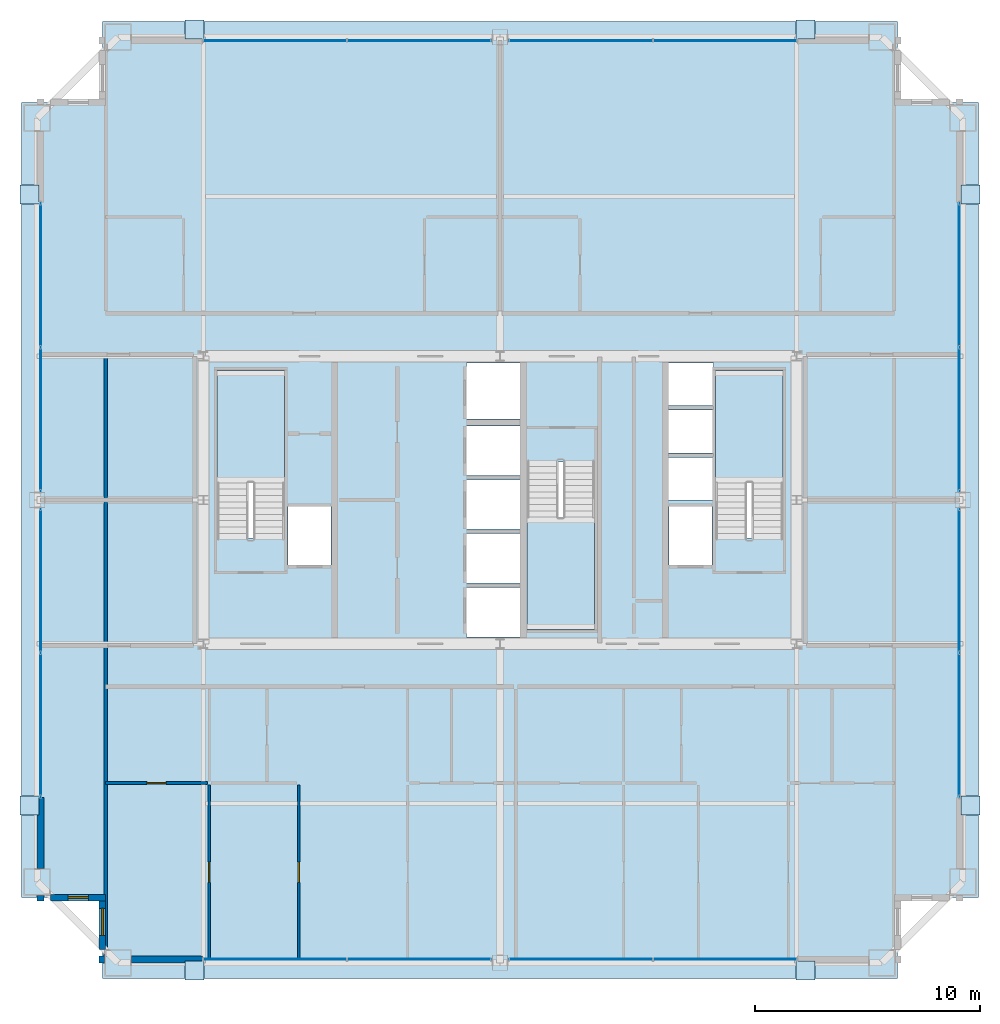
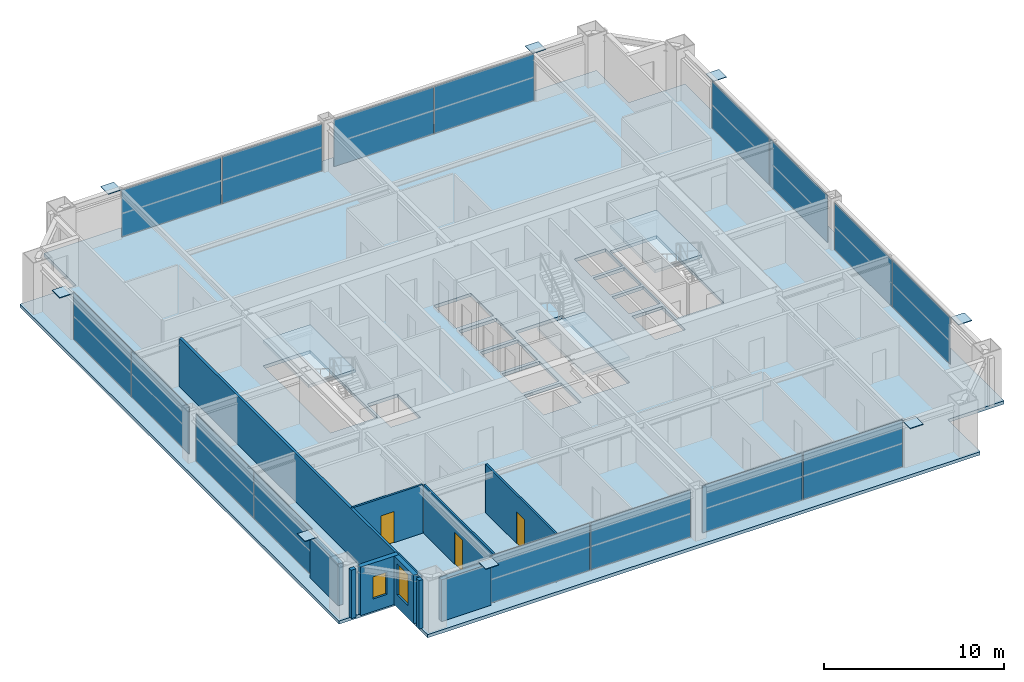
# One storey, part 31 of 36: 24 plates, 10 walls, 4 slabs, 3 doors, 2 windows, 5 openings, 11 elements without a shape of their own.
"""IFC4 building model written with IfcOpenShell, lengths in metres."""

from ifc_helpers import new_model, si_unit, direction, frame, frame_2d, origin, origin_2d, place, context, subcontext, project, spatial, polyline, rectangle, outline, extrude, source, transform, mapped, material, layer, layer_set, type_object, element, fill, aggregate, save


model = new_model("IFC4")

# Units and contexts
model_context = context("Model", 3, precision=1e-05, world=origin(), true_north=direction((0.0, 1.0)))
body_context = subcontext(model_context, "Body", "Model", "MODEL_VIEW")
ifc_project = project(units=[si_unit("LENGTHUNIT", "METRE"), si_unit("AREAUNIT", "SQUARE_METRE"), si_unit("VOLUMEUNIT", "CUBIC_METRE"), si_unit("PLANEANGLEUNIT", "RADIAN"), si_unit("MASSUNIT", "GRAM", prefix="KILO"), si_unit("THERMODYNAMICTEMPERATUREUNIT", "KELVIN"), si_unit("POWERUNIT", "WATT")], contexts=[model_context])

# Site, building, storey
site_placement = place(None, origin())
site = spatial("IfcSite", under=ifc_project, at=site_placement, CompositionType="ELEMENT")
building_placement = place(site_placement, origin())
building = spatial("IfcBuilding", under=site, at=building_placement, Name="Yuzanri Waterfront Tower", CompositionType="ELEMENT")
storey_placement = place(building_placement, frame((0.0, 0.0, 224.10009765625)))
storey = spatial("IfcBuildingStorey", under=building, at=storey_placement, Name="L59", CompositionType="ELEMENT", Elevation=224.10009765625)

# Stair, slab
ifc_material_1 = material(Name="Concrete C40", Category="concrete")
stair_type = type_object("IfcStairType", Name="Concrete C40 Core Dogleg Exit Stair", PredefinedType="HALF_TURN_STAIR", material=ifc_material_1)
stair_1_placement = place(storey_placement, origin())
stair_1 = element("IfcStair", 1, at=stair_1_placement, inside=storey, type_object=stair_type, Name="L59 Smoke-Proof Core Stair ST-01", PredefinedType="HALF_TURN_STAIR")
ifc_material_2 = material(Name="Concrete C40", Category="concrete")
ifc_layer_1 = layer(ifc_material_2, 0.179931640625)
ifc_layer_set_1 = layer_set([ifc_layer_1], Name="Concrete C40")
slab_type_1 = type_object("IfcSlabType", Name="Concrete C40 Stair Half-Landing Slab 180", PredefinedType="LANDING", material=ifc_layer_set_1)
slab_1_placement = place(storey_placement, frame((0.0, 0.0, 1.5498046875)))
slab_1 = element("IfcSlab", 2, at=slab_1_placement, type_object=slab_type_1, Name="ST-01 landing 1", PredefinedType="LANDING", context=body_context, shape_type="SweptSolid", body=[
    extrude(outline(polyline([(27.39990234375, 26.56005859375), (27.39990234375, 31.580078125), (24.39990234375, 31.580078125), (24.39990234375, 26.56005859375), (27.39990234375, 26.56005859375)])), origin(), (0.0, 0.0, 1.0), 0.2001953125),
])
aggregate(stair_1, [slab_1])

stair_2_placement = place(storey_placement, origin())
stair_2 = element("IfcStair", 3, at=stair_2_placement, inside=storey, type_object=stair_type, Name="L59 Smoke-Proof Core Stair ST-02", PredefinedType="HALF_TURN_STAIR")
slab_2_placement = place(storey_placement, frame((0.0, 0.0, 1.5498046875)))
slab_2 = element("IfcSlab", 4, at=slab_2_placement, type_object=slab_type_1, Name="ST-02 landing 1", PredefinedType="LANDING", context=body_context, shape_type="SweptSolid", body=[
    extrude(outline(polyline([(49.60009765625, 26.56005859375), (49.60009765625, 31.580078125), (46.60009765625, 31.580078125), (46.60009765625, 26.56005859375), (49.60009765625, 26.56005859375)])), origin(), (0.0, 0.0, 1.0), 0.2001953125),
])
aggregate(stair_2, [slab_2])

stair_3_placement = place(storey_placement, origin())
stair_3 = element("IfcStair", 5, at=stair_3_placement, inside=storey, type_object=stair_type, Name="L59 Smoke-Proof Core Stair ST-03", PredefinedType="HALF_TURN_STAIR")
slab_3_placement = place(storey_placement, frame((0.0, 0.0, 1.5498046875)))
slab_3 = element("IfcSlab", 6, at=slab_3_placement, type_object=slab_type_1, Name="ST-03 landing 1", PredefinedType="LANDING", context=body_context, shape_type="SweptSolid", body=[
    extrude(outline(polyline([(38.199951171875, 25.0400390625), (38.199951171875, 20.02001953125), (41.199951171875, 20.02001953125), (41.199951171875, 25.0400390625), (38.199951171875, 25.0400390625)])), origin(), (0.0, 0.0, 1.0), 0.2001953125),
])
aggregate(stair_3, [slab_3])

# Slab
ifc_material_3 = material(Name="Concrete C40", Category="concrete")
ifc_layer_2 = layer(ifc_material_3, 0.219970703125)
ifc_layer_set_2 = layer_set([ifc_layer_2], Name="Concrete C40")
slab_type_2 = type_object("IfcSlabType", Name="Concrete C40 Tower Typical Structural Floor Slab 220", PredefinedType="FLOOR", material=ifc_layer_set_2)
slab_4_placement = place(storey_placement, frame((0.0, 0.0, -0.22021484375)))
element("IfcSlab", 7, at=slab_4_placement, inside=storey, type_object=slab_type_2, Name="L59 Main Structural Floor Slab", PredefinedType="FLOOR", context=body_context, shape_type="SweptSolid", body=[
    extrude(outline(polyline([(19.300048828125, 4.5), (54.699951171875, 4.5), (54.699951171875, 8.10009765625), (58.300048828125, 8.10009765625), (58.300048828125, 43.5), (54.699951171875, 43.5), (54.699951171875, 47.10009765625), (19.300048828125, 47.10009765625), (19.300048828125, 43.5), (15.699951171875, 43.5), (15.699951171875, 8.10009765625), (19.300048828125, 8.10009765625), (19.300048828125, 4.5)]), holes=[polyline([(27.39990234375, 24.10009765625), (27.39990234375, 31.580078125), (24.39990234375, 31.580078125), (24.39990234375, 24.10009765625), (27.39990234375, 24.10009765625)]), polyline([(49.60009765625, 24.10009765625), (49.60009765625, 31.580078125), (46.60009765625, 31.580078125), (46.60009765625, 24.10009765625), (49.60009765625, 24.10009765625)]), polyline([(38.199951171875, 27.5), (38.199951171875, 20.02001953125), (41.199951171875, 20.02001953125), (41.199951171875, 27.5), (38.199951171875, 27.5)]), polyline([(27.56005859375, 22.89990234375), (29.47998046875, 22.89990234375), (29.47998046875, 25.5), (27.56005859375, 25.5), (27.56005859375, 22.89990234375)]), polyline([(44.52001953125, 22.89990234375), (46.43994140625, 22.89990234375), (46.43994140625, 25.5), (44.52001953125, 25.5), (44.52001953125, 22.89990234375)]), polyline([(35.5, 19.699951171875), (37.89990234375, 19.699951171875), (37.89990234375, 21.89990234375), (35.5, 21.89990234375), (35.5, 19.699951171875)]), polyline([(35.5, 22.10009765625), (37.89990234375, 22.10009765625), (37.89990234375, 24.300048828125), (35.5, 24.300048828125), (35.5, 22.10009765625)]), polyline([(35.5, 24.5), (37.89990234375, 24.5), (37.89990234375, 26.699951171875), (35.5, 26.699951171875), (35.5, 24.5)]), polyline([(35.5, 26.89990234375), (37.89990234375, 26.89990234375), (37.89990234375, 29.10009765625), (35.5, 29.10009765625), (35.5, 26.89990234375)]), polyline([(35.5, 29.39990234375), (37.89990234375, 29.39990234375), (37.89990234375, 31.89990234375), (35.5, 31.89990234375), (35.5, 29.39990234375)]), polyline([(44.5, 25.800048828125), (46.5, 25.800048828125), (46.5, 27.699951171875), (44.5, 27.699951171875), (44.5, 25.800048828125)]), polyline([(44.5, 27.89990234375), (46.5, 27.89990234375), (46.5, 29.800048828125), (44.5, 29.800048828125), (44.5, 27.89990234375)]), polyline([(44.5, 30.0), (46.5, 30.0), (46.5, 31.89990234375), (44.5, 31.89990234375), (44.5, 30.0)])]), origin(), (0.0, 0.0, 1.0), 0.22021484375),
])

# Plates
ifc_material_4 = material(Name="Steel Q420GJC", Category="steel")
ifc_layer_3 = layer(ifc_material_4, 0.0400390625)
ifc_layer_set_3 = layer_set([ifc_layer_3], Name="Steel Q420GJC")
plate_type_1 = type_object("IfcPlateType", Name="Steel Q420GJC Mega-Brace Gusset and End-Cap Plate 40", PredefinedType="SHEET", material=ifc_layer_set_3)
shared_shape_1 = source(origin(), body_context, "Body", "SweptSolid", [
    extrude(rectangle(XDim=0.85009765625, YDim=0.85009765625, at=origin_2d()), origin(), (0.0, 0.0, 1.0), 0.0400390625),
])
for number, where, z_axis, x_axis, name in (
    (8, (23.39990234375, 4.860107421875, 3.159912109375), (0.0, 0.0, 1.0), (1.0, 0.0, 0.0), "L59 Mega-Brace Apex Cap Plate S-L"),
    (9, (50.60009765625, 4.860107421875, 3.159912109375), (0.0, 0.0, 1.0), (1.0, 0.0, 0.0), "L59 Mega-Brace Apex Cap Plate S-R"),
    (10, (23.39990234375, 46.739990234375, 3.159912109375), (0.0, 0.0, 1.0), (1.0, 0.0, 0.0), "L59 Mega-Brace Apex Cap Plate N-L"),
    (11, (50.60009765625, 46.739990234375, 3.159912109375), (0.0, 0.0, 1.0), (1.0, 0.0, 0.0), "L59 Mega-Brace Apex Cap Plate N-R"),
    (12, (16.06005859375, 12.199951171875, 3.159912109375), (0.0, 0.0, 1.0), (1.0, 0.0, 0.0), "L59 Mega-Brace Apex Cap Plate W-L"),
    (13, (16.06005859375, 39.39990234375, 3.159912109375), (0.0, 0.0, 1.0), (1.0, 0.0, 0.0), "L59 Mega-Brace Apex Cap Plate W-R"),
    (14, (57.93994140625, 12.199951171875, 3.159912109375), (0.0, 0.0, 1.0), (1.0, 0.0, 0.0), "L59 Mega-Brace Apex Cap Plate E-L"),
    (15, (57.93994140625, 39.39990234375, 3.159912109375), (0.0, 0.0, 1.0), (1.0, 0.0, 0.0), "L59 Mega-Brace Apex Cap Plate E-R"),
):
    element("IfcPlate", number, at=place(storey_placement, frame(where, z_axis=z_axis, x_axis=x_axis)), inside=storey, type_object=plate_type_1, Name=name, PredefinedType="SHEET", context=body_context, shape_type="MappedRepresentation", body=[
        mapped(shared_shape_1, transform((0.0, 0.0, 0.0), scale=1.0)),
    ])

# Curtain wall, plates
ifc_material_5 = material(Name="Anodized Architectural Bronze", Category="metal")
ifc_layer_4 = layer(ifc_material_5, 0.159912109375)
ifc_layer_set_4 = layer_set([ifc_layer_4], Name="Anodized Architectural Bronze")
curtain_wall_type = type_object("IfcCurtainWallType", Name="Anodized Bronze Mid-Rise Residential Acoustic Unitized Curtain Wall 7200", PredefinedType="NOTDEFINED", material=ifc_layer_set_4)
curtain_wall_1_placement = place(storey_placement, origin())
curtain_wall_1 = element("IfcCurtainWall", 16, at=curtain_wall_1_placement, inside=storey, type_object=curtain_wall_type, Name="L59 Curtain Wall CW-L59-SL", PredefinedType="NOTDEFINED")
ifc_material_6 = material(Name="Triple Low-E Laminated Insulated Glass", Category="glass")
ifc_layer_5 = layer(ifc_material_6, 0.0439453125)
ifc_layer_set_5 = layer_set([ifc_layer_5], Name="Triple Low-E Laminated Insulated Glass")
plate_type_2 = type_object("IfcPlateType", Name="Triple Glazed Acoustic Vision Glass Panel 44", PredefinedType="CURTAIN_PANEL", material=ifc_layer_set_5)
shared_shape_2 = source(origin(), body_context, "Body", "SweptSolid", [
    extrude(rectangle(XDim=6.3701171875, YDim=0.0439453125, at=origin_2d()), origin(), (0.0, 0.0, 1.0), 3.179931640625),
])
plate_1_placement = place(storey_placement, frame((26.97509765625, 5.35009765625, 0.0498046875), z_axis=(0.0, 0.0, 1.0), x_axis=(1.0, 0.0, 0.0)))
plate_1 = element("IfcPlate", 17, at=plate_1_placement, type_object=plate_type_2, Name="CW-L59-SL Vision Glass Panel 01", PredefinedType="CURTAIN_PANEL", context=body_context, shape_type="MappedRepresentation", body=[
    mapped(shared_shape_2, transform((0.0, 0.0, 0.0), scale=1.0)),
])
plate_2_placement = place(storey_placement, frame((33.425048828125, 5.35009765625, 0.0498046875), z_axis=(0.0, 0.0, 1.0), x_axis=(1.0, 0.0, 0.0)))
plate_2 = element("IfcPlate", 18, at=plate_2_placement, type_object=plate_type_2, Name="CW-L59-SL Vision Glass Panel 02", PredefinedType="CURTAIN_PANEL", context=body_context, shape_type="MappedRepresentation", body=[
    mapped(shared_shape_2, transform((0.0, 0.0, 0.0), scale=1.0)),
])
aggregate(curtain_wall_1, [plate_1, plate_2])

curtain_wall_2_placement = place(storey_placement, origin())
curtain_wall_2 = element("IfcCurtainWall", 19, at=curtain_wall_2_placement, inside=storey, type_object=curtain_wall_type, Name="L59 Curtain Wall CW-L59-SR", PredefinedType="NOTDEFINED")
plate_3_placement = place(storey_placement, frame((40.574951171875, 5.35009765625, 0.0498046875), z_axis=(0.0, 0.0, 1.0), x_axis=(1.0, 0.0, 0.0)))
plate_3 = element("IfcPlate", 20, at=plate_3_placement, type_object=plate_type_2, Name="CW-L59-SR Vision Glass Panel 01", PredefinedType="CURTAIN_PANEL", context=body_context, shape_type="MappedRepresentation", body=[
    mapped(shared_shape_2, transform((0.0, 0.0, 0.0), scale=1.0)),
])
plate_4_placement = place(storey_placement, frame((47.02490234375, 5.35009765625, 0.0498046875), z_axis=(0.0, 0.0, 1.0), x_axis=(1.0, 0.0, 0.0)))
plate_4 = element("IfcPlate", 21, at=plate_4_placement, type_object=plate_type_2, Name="CW-L59-SR Vision Glass Panel 02", PredefinedType="CURTAIN_PANEL", context=body_context, shape_type="MappedRepresentation", body=[
    mapped(shared_shape_2, transform((0.0, 0.0, 0.0), scale=1.0)),
])
aggregate(curtain_wall_2, [plate_3, plate_4])

curtain_wall_3_placement = place(storey_placement, origin())
curtain_wall_3 = element("IfcCurtainWall", 22, at=curtain_wall_3_placement, inside=storey, type_object=curtain_wall_type, Name="L59 Curtain Wall CW-L59-NL", PredefinedType="NOTDEFINED")
plate_5_placement = place(storey_placement, frame((26.97509765625, 46.25, 0.0498046875), z_axis=(0.0, 0.0, 1.0), x_axis=(1.0, 0.0, 0.0)))
plate_5 = element("IfcPlate", 23, at=plate_5_placement, type_object=plate_type_2, Name="CW-L59-NL Vision Glass Panel 01", PredefinedType="CURTAIN_PANEL", context=body_context, shape_type="MappedRepresentation", body=[
    mapped(shared_shape_2, transform((0.0, 0.0, 0.0), scale=1.0)),
])
plate_6_placement = place(storey_placement, frame((33.425048828125, 46.25, 0.0498046875), z_axis=(0.0, 0.0, 1.0), x_axis=(1.0, 0.0, 0.0)))
plate_6 = element("IfcPlate", 24, at=plate_6_placement, type_object=plate_type_2, Name="CW-L59-NL Vision Glass Panel 02", PredefinedType="CURTAIN_PANEL", context=body_context, shape_type="MappedRepresentation", body=[
    mapped(shared_shape_2, transform((0.0, 0.0, 0.0), scale=1.0)),
])
aggregate(curtain_wall_3, [plate_5, plate_6])

curtain_wall_4_placement = place(storey_placement, origin())
curtain_wall_4 = element("IfcCurtainWall", 25, at=curtain_wall_4_placement, inside=storey, type_object=curtain_wall_type, Name="L59 Curtain Wall CW-L59-NR", PredefinedType="NOTDEFINED")
plate_7_placement = place(storey_placement, frame((40.574951171875, 46.25, 0.0498046875), z_axis=(0.0, 0.0, 1.0), x_axis=(1.0, 0.0, 0.0)))
plate_7 = element("IfcPlate", 26, at=plate_7_placement, type_object=plate_type_2, Name="CW-L59-NR Vision Glass Panel 01", PredefinedType="CURTAIN_PANEL", context=body_context, shape_type="MappedRepresentation", body=[
    mapped(shared_shape_2, transform((0.0, 0.0, 0.0), scale=1.0)),
])
plate_8_placement = place(storey_placement, frame((47.02490234375, 46.25, 0.0498046875), z_axis=(0.0, 0.0, 1.0), x_axis=(1.0, 0.0, 0.0)))
plate_8 = element("IfcPlate", 27, at=plate_8_placement, type_object=plate_type_2, Name="CW-L59-NR Vision Glass Panel 02", PredefinedType="CURTAIN_PANEL", context=body_context, shape_type="MappedRepresentation", body=[
    mapped(shared_shape_2, transform((0.0, 0.0, 0.0), scale=1.0)),
])
aggregate(curtain_wall_4, [plate_7, plate_8])

curtain_wall_5_placement = place(storey_placement, origin())
curtain_wall_5 = element("IfcCurtainWall", 28, at=curtain_wall_5_placement, inside=storey, type_object=curtain_wall_type, Name="L59 Curtain Wall CW-L59-WL", PredefinedType="NOTDEFINED")
plate_9_placement = place(storey_placement, frame((16.550048828125, 15.77490234375, 0.0498046875), z_axis=(0.0, 0.0, 1.0), x_axis=(0.0, 1.0, 0.0)))
plate_9 = element("IfcPlate", 29, at=plate_9_placement, type_object=plate_type_2, Name="CW-L59-WL Vision Glass Panel 01", PredefinedType="CURTAIN_PANEL", context=body_context, shape_type="MappedRepresentation", body=[
    mapped(shared_shape_2, transform((0.0, 0.0, 0.0), scale=1.0)),
])
plate_10_placement = place(storey_placement, frame((16.550048828125, 22.22509765625, 0.0498046875), z_axis=(0.0, 0.0, 1.0), x_axis=(0.0, 1.0, 0.0)))
plate_10 = element("IfcPlate", 30, at=plate_10_placement, type_object=plate_type_2, Name="CW-L59-WL Vision Glass Panel 02", PredefinedType="CURTAIN_PANEL", context=body_context, shape_type="MappedRepresentation", body=[
    mapped(shared_shape_2, transform((0.0, 0.0, 0.0), scale=1.0)),
])
aggregate(curtain_wall_5, [plate_9, plate_10])

curtain_wall_6_placement = place(storey_placement, origin())
curtain_wall_6 = element("IfcCurtainWall", 31, at=curtain_wall_6_placement, inside=storey, type_object=curtain_wall_type, Name="L59 Curtain Wall CW-L59-WR", PredefinedType="NOTDEFINED")
plate_11_placement = place(storey_placement, frame((16.550048828125, 29.375, 0.0498046875), z_axis=(0.0, 0.0, 1.0), x_axis=(0.0, 1.0, 0.0)))
plate_11 = element("IfcPlate", 32, at=plate_11_placement, type_object=plate_type_2, Name="CW-L59-WR Vision Glass Panel 01", PredefinedType="CURTAIN_PANEL", context=body_context, shape_type="MappedRepresentation", body=[
    mapped(shared_shape_2, transform((0.0, 0.0, 0.0), scale=1.0)),
])
plate_12_placement = place(storey_placement, frame((16.550048828125, 35.824951171875, 0.0498046875), z_axis=(0.0, 0.0, 1.0), x_axis=(0.0, 1.0, 0.0)))
plate_12 = element("IfcPlate", 33, at=plate_12_placement, type_object=plate_type_2, Name="CW-L59-WR Vision Glass Panel 02", PredefinedType="CURTAIN_PANEL", context=body_context, shape_type="MappedRepresentation", body=[
    mapped(shared_shape_2, transform((0.0, 0.0, 0.0), scale=1.0)),
])
aggregate(curtain_wall_6, [plate_11, plate_12])

curtain_wall_7_placement = place(storey_placement, origin())
curtain_wall_7 = element("IfcCurtainWall", 34, at=curtain_wall_7_placement, inside=storey, type_object=curtain_wall_type, Name="L59 Curtain Wall CW-L59-EL", PredefinedType="NOTDEFINED")
plate_13_placement = place(storey_placement, frame((57.449951171875, 15.77490234375, 0.0498046875), z_axis=(0.0, 0.0, 1.0), x_axis=(0.0, 1.0, 0.0)))
plate_13 = element("IfcPlate", 35, at=plate_13_placement, type_object=plate_type_2, Name="CW-L59-EL Vision Glass Panel 01", PredefinedType="CURTAIN_PANEL", context=body_context, shape_type="MappedRepresentation", body=[
    mapped(shared_shape_2, transform((0.0, 0.0, 0.0), scale=1.0)),
])
plate_14_placement = place(storey_placement, frame((57.449951171875, 22.22509765625, 0.0498046875), z_axis=(0.0, 0.0, 1.0), x_axis=(0.0, 1.0, 0.0)))
plate_14 = element("IfcPlate", 36, at=plate_14_placement, type_object=plate_type_2, Name="CW-L59-EL Vision Glass Panel 02", PredefinedType="CURTAIN_PANEL", context=body_context, shape_type="MappedRepresentation", body=[
    mapped(shared_shape_2, transform((0.0, 0.0, 0.0), scale=1.0)),
])
aggregate(curtain_wall_7, [plate_13, plate_14])

curtain_wall_8_placement = place(storey_placement, origin())
curtain_wall_8 = element("IfcCurtainWall", 37, at=curtain_wall_8_placement, inside=storey, type_object=curtain_wall_type, Name="L59 Curtain Wall CW-L59-ER", PredefinedType="NOTDEFINED")
plate_15_placement = place(storey_placement, frame((57.449951171875, 29.375, 0.0498046875), z_axis=(0.0, 0.0, 1.0), x_axis=(0.0, 1.0, 0.0)))
plate_15 = element("IfcPlate", 38, at=plate_15_placement, type_object=plate_type_2, Name="CW-L59-ER Vision Glass Panel 01", PredefinedType="CURTAIN_PANEL", context=body_context, shape_type="MappedRepresentation", body=[
    mapped(shared_shape_2, transform((0.0, 0.0, 0.0), scale=1.0)),
])
plate_16_placement = place(storey_placement, frame((57.449951171875, 35.824951171875, 0.0498046875), z_axis=(0.0, 0.0, 1.0), x_axis=(0.0, 1.0, 0.0)))
plate_16 = element("IfcPlate", 39, at=plate_16_placement, type_object=plate_type_2, Name="CW-L59-ER Vision Glass Panel 02", PredefinedType="CURTAIN_PANEL", context=body_context, shape_type="MappedRepresentation", body=[
    mapped(shared_shape_2, transform((0.0, 0.0, 0.0), scale=1.0)),
])
aggregate(curtain_wall_8, [plate_15, plate_16])

# Wall, opening, door
ifc_material_7 = material(Name="Moisture-Resistant Gypsum Stud Wall", Category="gypsum")
ifc_layer_6 = layer(ifc_material_7, 0.1201171875)
ifc_layer_set_6 = layer_set([ifc_layer_6], Name="Moisture-Resistant Gypsum Stud Wall")
wall_type_1 = type_object("IfcWallType", Name="Bathroom and Kitchen Wet Partition 120", PredefinedType="PARTITIONING", material=ifc_layer_set_6)
wall_1_placement = place(storey_placement, frame((19.43994140625, 13.199951171875, 0.0), z_axis=(0.0, 0.0, 1.0), x_axis=(1.0, 0.0, 0.0)))
wall_1 = element("IfcWall", 40, at=wall_1_placement, inside=storey, type_object=wall_type_1, Name="L59 Partition UW-L59-RS1-SUB-1-S", PredefinedType="PARTITIONING", context=body_context, shape_type="SweptSolid", body=[
    extrude(rectangle(XDim=4.545166015625, YDim=0.1201171875, at=frame_2d((2.2724609375, 0.0))), origin(), (0.0, 0.0, 1.0), 3.27978515625),
])
opening_1_placement = place(wall_1_placement, frame((1.847412109375, 0.0, 0.0)))
opening_1 = element("IfcOpeningElement", 41, at=opening_1_placement, cuts=wall_1, Name="Opening ID-0850", PredefinedType="OPENING", context=body_context, shape_type="SweptSolid", body=[
    extrude(rectangle(XDim=0.85009765625, YDim=2.10009765625, at=frame_2d((0.425048828125, 1.050048828125))), frame((0.0, 0.074951171875, 0.0), z_axis=(0.0, -1.0, 0.0), x_axis=(1.0, 0.0, 0.0)), (0.0, 0.0, 1.0), 0.14990234375),
])
ifc_material_8 = material(Name="Moisture-Resistant Lacquered Timber", Category="wood")
door_type_1 = type_object("IfcDoorType", Name="En-Suite Bathroom and Kitchen Swing Door 850x2100", OperationType="NOTDEFINED", PredefinedType="DOOR", material=ifc_material_8)
shared_shape_3 = source(origin(), body_context, "Body", "SweptSolid", [
    extrude(rectangle(XDim=0.85009765625, YDim=2.10009765625, at=frame_2d((0.425048828125, 1.050048828125))), frame((0.0, 0.02490234375, 0.0), z_axis=(0.0, -1.0, 0.0), x_axis=(1.0, 0.0, 0.0)), (0.0, 0.0, 1.0), 0.050048828125),
])
door_1_placement = place(opening_1_placement, origin())
door_1 = element("IfcDoor", 42, at=door_1_placement, inside=storey, type_object=door_type_1, Name="L59 Suite Interior Room Door", OperationType="SINGLE_SWING_LEFT", OverallHeight=2.10009765625, OverallWidth=0.85009765625, PredefinedType="DOOR", context=body_context, shape_type="MappedRepresentation", body=[
    mapped(shared_shape_3, transform((0.0, 0.0, 0.0), scale=1.0)),
])
fill(opening_1, door_1)

wall_2_placement = place(storey_placement, frame((24.06494140625, 5.35009765625, 0.0), z_axis=(0.0, 0.0, 1.0), x_axis=(0.0, 1.0, 0.0)))
wall_2 = element("IfcWall", 43, at=wall_2_placement, inside=storey, type_object=wall_type_1, Name="L59 Partition UW-L59-RS1-SUB-5-E", PredefinedType="PARTITIONING", context=body_context, shape_type="SweptSolid", body=[
    extrude(rectangle(XDim=7.77001953125, YDim=0.1201171875, at=frame_2d((3.885009765625, 0.0))), origin(), (0.0, 0.0, 1.0), 3.27978515625),
])
opening_2_placement = place(wall_2_placement, frame((3.43505859375, 0.0, 0.0)))
opening_2 = element("IfcOpeningElement", 44, at=opening_2_placement, cuts=wall_2, Name="Opening ID-0900", PredefinedType="OPENING", context=body_context, shape_type="SweptSolid", body=[
    extrude(rectangle(XDim=0.89990234375, YDim=2.14990234375, at=frame_2d((0.449951171875, 1.074951171875))), frame((0.0, 0.074951171875, 0.0), z_axis=(0.0, -1.0, 0.0), x_axis=(1.0, 0.0, 0.0)), (0.0, 0.0, 1.0), 0.14990234375),
])
ifc_material_9 = material(Name="Stained Walnut Veneer Timber", Category="wood")
door_type_2 = type_object("IfcDoorType", Name="Bedroom and Study Interior Swing Door 900x2150", OperationType="NOTDEFINED", PredefinedType="DOOR", material=ifc_material_9)
shared_shape_4 = source(origin(), body_context, "Body", "SweptSolid", [
    extrude(rectangle(XDim=0.89990234375, YDim=2.14990234375, at=frame_2d((0.449951171875, 1.074951171875))), frame((0.0, 0.02490234375, 0.0), z_axis=(0.0, -1.0, 0.0), x_axis=(1.0, 0.0, 0.0)), (0.0, 0.0, 1.0), 0.050048828125),
])
door_2_placement = place(opening_2_placement, origin())
door_2 = element("IfcDoor", 45, at=door_2_placement, inside=storey, type_object=door_type_2, Name="L59 Suite Interior Room Door", OperationType="SINGLE_SWING_LEFT", OverallHeight=2.14990234375, OverallWidth=0.89990234375, PredefinedType="DOOR", context=body_context, shape_type="MappedRepresentation", body=[
    mapped(shared_shape_4, transform((0.0, 0.0, 0.0), scale=1.0)),
])
fill(opening_2, door_2)

wall_3_placement = place(storey_placement, frame((28.0400390625, 5.35009765625, 0.0), z_axis=(0.0, 0.0, 1.0), x_axis=(0.0, 1.0, 0.0)))
wall_3 = element("IfcWall", 46, at=wall_3_placement, inside=storey, type_object=wall_type_1, Name="L59 Partition UW-L59-RS1-SUB-7-E", PredefinedType="PARTITIONING", context=body_context, shape_type="SweptSolid", body=[
    extrude(rectangle(XDim=7.77001953125, YDim=0.1201171875, at=frame_2d((3.885009765625, 0.0))), origin(), (0.0, 0.0, 1.0), 3.27978515625),
])
opening_3_placement = place(wall_3_placement, frame((3.43505859375, 0.0, 0.0)))
opening_3 = element("IfcOpeningElement", 47, at=opening_3_placement, cuts=wall_3, Name="Opening ID-0900", PredefinedType="OPENING", context=body_context, shape_type="SweptSolid", body=[
    extrude(rectangle(XDim=0.89990234375, YDim=2.14990234375, at=frame_2d((0.449951171875, 1.074951171875))), frame((0.0, 0.074951171875, 0.0), z_axis=(0.0, -1.0, 0.0), x_axis=(1.0, 0.0, 0.0)), (0.0, 0.0, 1.0), 0.14990234375),
])
door_3_placement = place(opening_3_placement, origin())
door_3 = element("IfcDoor", 48, at=door_3_placement, inside=storey, type_object=door_type_2, Name="L59 Suite Interior Room Door", OperationType="SINGLE_SWING_LEFT", OverallHeight=2.14990234375, OverallWidth=0.89990234375, PredefinedType="DOOR", context=body_context, shape_type="MappedRepresentation", body=[
    mapped(shared_shape_4, transform((0.0, 0.0, 0.0), scale=1.0)),
])
fill(opening_3, door_3)

# Wall, opening, window
ifc_material_10 = material(Name="Honed Chongqing Dark Basalt Stone", Category="masonry")
ifc_layer_7 = layer(ifc_material_10, 0.300048828125)
ifc_layer_set_7 = layer_set([ifc_layer_7], Name="Honed Chongqing Dark Basalt Stone")
wall_type_2 = type_object("IfcWallType", Name="Bronze Rainscreen Insulated Spandrel Portal Wall 300", PredefinedType="SOLIDWALL", material=ifc_layer_set_7)
wall_4_placement = place(storey_placement, frame((17.0, 8.10009765625, 0.0), z_axis=(0.0, 0.0, 1.0), x_axis=(1.0, 0.0, 0.0)))
wall_4 = element("IfcWall", 49, at=wall_4_placement, inside=storey, type_object=wall_type_2, Name="L59 Notched Corner Masonry Wall SW-X", PredefinedType="SOLIDWALL", context=body_context, shape_type="SweptSolid", body=[
    extrude(rectangle(XDim=2.449951171875, YDim=0.300048828125, at=frame_2d((1.22509765625, 0.0))), origin(), (0.0, 0.0, 1.0), 3.27978515625),
])
opening_4_placement = place(wall_4_placement, frame((0.77490234375, 0.0, 0.85009765625)))
opening_4 = element("IfcOpeningElement", 50, at=opening_4_placement, cuts=wall_4, Name="Opening WN-05", PredefinedType="OPENING", context=body_context, shape_type="SweptSolid", body=[
    extrude(rectangle(XDim=0.89990234375, YDim=1.5, at=frame_2d((0.449951171875, 0.75))), frame((0.0, 0.1650390625, 0.0), z_axis=(0.0, -1.0, 0.0), x_axis=(1.0, 0.0, 0.0)), (0.0, 0.0, 1.0), 0.329833984375),
])
ifc_material_11 = material(Name="Double-Silver Low-E Insulated Glass", Category="glass")
window_type_1 = type_object("IfcWindowType", Name="Anodized Bronze Service and Stairwell Smoke-Vent Window 900x1500", PartitioningType="SINGLE_PANEL", PredefinedType="WINDOW", material=ifc_material_11)
shared_shape_5 = source(origin(), body_context, "Body", "SweptSolid", [
    extrude(rectangle(XDim=0.89990234375, YDim=1.5, at=frame_2d((0.449951171875, 0.75))), frame((0.0, 0.030029296875, 0.0), z_axis=(0.0, -1.0, 0.0), x_axis=(1.0, 0.0, 0.0)), (0.0, 0.0, 1.0), 0.06005859375),
])
window_1_placement = place(opening_4_placement, origin())
window_1 = element("IfcWindow", 51, at=window_1_placement, inside=storey, type_object=window_type_1, Name="L59 Notched Corner Window SW-X", OverallHeight=1.5, OverallWidth=0.89990234375, PartitioningType="SINGLE_PANEL", PredefinedType="WINDOW", context=body_context, shape_type="MappedRepresentation", body=[
    mapped(shared_shape_5, transform((0.0, 0.0, 0.0), scale=1.0)),
])
fill(opening_4, window_1)

wall_5_placement = place(storey_placement, frame((19.300048828125, 8.25, 0.0), z_axis=(0.0, 0.0, 1.0), x_axis=(0.0, -1.0, 0.0)))
wall_5 = element("IfcWall", 52, at=wall_5_placement, inside=storey, type_object=wall_type_2, Name="L59 Notched Corner Masonry Wall SW-Y", PredefinedType="SOLIDWALL", context=body_context, shape_type="SweptSolid", body=[
    extrude(rectangle(XDim=2.449951171875, YDim=0.300048828125, at=frame_2d((1.22509765625, 0.0))), origin(), (0.0, 0.0, 1.0), 3.27978515625),
])
opening_5_placement = place(wall_5_placement, frame((0.625, 0.0, 0.85009765625)))
opening_5 = element("IfcOpeningElement", 53, at=opening_5_placement, cuts=wall_5, Name="Opening WN-02", PredefinedType="OPENING", context=body_context, shape_type="SweptSolid", body=[
    extrude(rectangle(XDim=1.199951171875, YDim=2.10009765625, at=frame_2d((0.60009765625, 1.050048828125))), frame((0.0, 0.1650390625, 0.0), z_axis=(0.0, -1.0, 0.0), x_axis=(1.0, 0.0, 0.0)), (0.0, 0.0, 1.0), 0.329833984375),
])
ifc_material_12 = material(Name="Double-Silver Low-E Insulated Glass", Category="glass")
window_type_2 = type_object("IfcWindowType", Name="Anodized Bronze Notched Corner Deep-Set Slot Window 1200x2100", PartitioningType="SINGLE_PANEL", PredefinedType="WINDOW", material=ifc_material_12)
shared_shape_6 = source(origin(), body_context, "Body", "SweptSolid", [
    extrude(rectangle(XDim=1.199951171875, YDim=2.10009765625, at=frame_2d((0.60009765625, 1.050048828125))), frame((0.0, 0.030029296875, 0.0), z_axis=(0.0, -1.0, 0.0), x_axis=(1.0, 0.0, 0.0)), (0.0, 0.0, 1.0), 0.06005859375),
])
window_2_placement = place(opening_5_placement, origin())
window_2 = element("IfcWindow", 54, at=window_2_placement, inside=storey, type_object=window_type_2, Name="L59 Notched Corner Window SW-Y", OverallHeight=2.10009765625, OverallWidth=1.199951171875, PartitioningType="SINGLE_PANEL", PredefinedType="WINDOW", context=body_context, shape_type="MappedRepresentation", body=[
    mapped(shared_shape_6, transform((0.0, 0.0, 0.0), scale=1.0)),
])
fill(opening_5, window_2)

# Walls
shared_shape_7 = source(origin(), body_context, "Body", "SweptSolid", [
    extrude(rectangle(XDim=0.25, YDim=0.300048828125, at=frame_2d((0.125, 0.0))), origin(), (0.0, 0.0, 1.0), 3.27978515625),
])
for number, where, z_axis, x_axis, name in (
    (55, (19.14990234375, 5.35009765625, 0.0), (0.0, 0.0, 1.0), (1.0, 0.0, 0.0), "L59 Corner Column Shoulder Return CSW"),
    (56, (16.550048828125, 7.949951171875, 0.0), (0.0, 0.0, 1.0), (0.0, 1.0, 0.0), "L59 Corner Column Shoulder Return CWS"),
):
    element("IfcWall", number, at=place(storey_placement, frame(where, z_axis=z_axis, x_axis=x_axis)), inside=storey, type_object=wall_type_2, Name=name, PredefinedType="SOLIDWALL", context=body_context, shape_type="MappedRepresentation", body=[
        mapped(shared_shape_7, transform((0.0, 0.0, 0.0), scale=1.0)),
    ])
shared_shape_8 = source(origin(), body_context, "Body", "SweptSolid", [
    extrude(rectangle(XDim=3.14990234375, YDim=0.300048828125, at=frame_2d((1.574951171875, 0.0))), origin(), (0.0, 0.0, 1.0), 2.8349609375),
])
wall_6_placement = place(storey_placement, frame((20.60009765625, 5.35009765625, 0.0), z_axis=(0.0, 0.0, 1.0), x_axis=(1.0, 0.0, 0.0)))
element("IfcWall", 57, at=wall_6_placement, inside=storey, type_object=wall_type_2, Name="L59 S Left Braced Masonry Shoulder", PredefinedType="SOLIDWALL", context=body_context, shape_type="MappedRepresentation", body=[
    mapped(shared_shape_8, transform((0.0, 0.0, 0.0), scale=1.0)),
])
shared_shape_9 = source(origin(), body_context, "Body", "SweptSolid", [
    extrude(rectangle(XDim=3.150146484375, YDim=0.300048828125, at=frame_2d((1.5751953125, 0.0))), origin(), (0.0, 0.0, 1.0), 2.8349609375),
])
wall_7_placement = place(storey_placement, frame((16.550048828125, 9.39990234375, 0.0), z_axis=(0.0, 0.0, 1.0), x_axis=(0.0, 1.0, 0.0)))
element("IfcWall", 58, at=wall_7_placement, inside=storey, type_object=wall_type_2, Name="L59 W Left Braced Masonry Shoulder", PredefinedType="SOLIDWALL", context=body_context, shape_type="MappedRepresentation", body=[
    mapped(shared_shape_9, transform((0.0, 0.0, 0.0), scale=1.0)),
])
ifc_material_13 = material(Name="Gypsum Fireboard Acoustic Stud Wall", Category="gypsum")
ifc_layer_8 = layer(ifc_material_13, 0.159912109375)
ifc_layer_set_8 = layer_set([ifc_layer_8], Name="Gypsum Fireboard Acoustic Stud Wall")
wall_type_3 = type_object("IfcWallType", Name="Acoustic Suite Demising Partition 160", PredefinedType="PARTITIONING", material=ifc_layer_set_8)
shared_shape_10 = source(origin(), body_context, "Body", "SweptSolid", [
    extrude(rectangle(XDim=26.68994140625, YDim=0.159912109375, at=frame_2d((13.344970703125, 0.0))), origin(), (0.0, 0.0, 1.0), 3.27978515625),
])
wall_8_placement = place(storey_placement, frame((19.449951171875, 5.5, 0.0), z_axis=(0.0, 0.0, 1.0), x_axis=(0.0, 1.0, 0.0)))
element("IfcWall", 59, at=wall_8_placement, inside=storey, type_object=wall_type_3, Name="L59 South Band West End Wall", PredefinedType="PARTITIONING", context=body_context, shape_type="MappedRepresentation", body=[
    mapped(shared_shape_10, transform((0.0, 0.0, 0.0), scale=1.0)),
])

save(model, "model.ifc")
